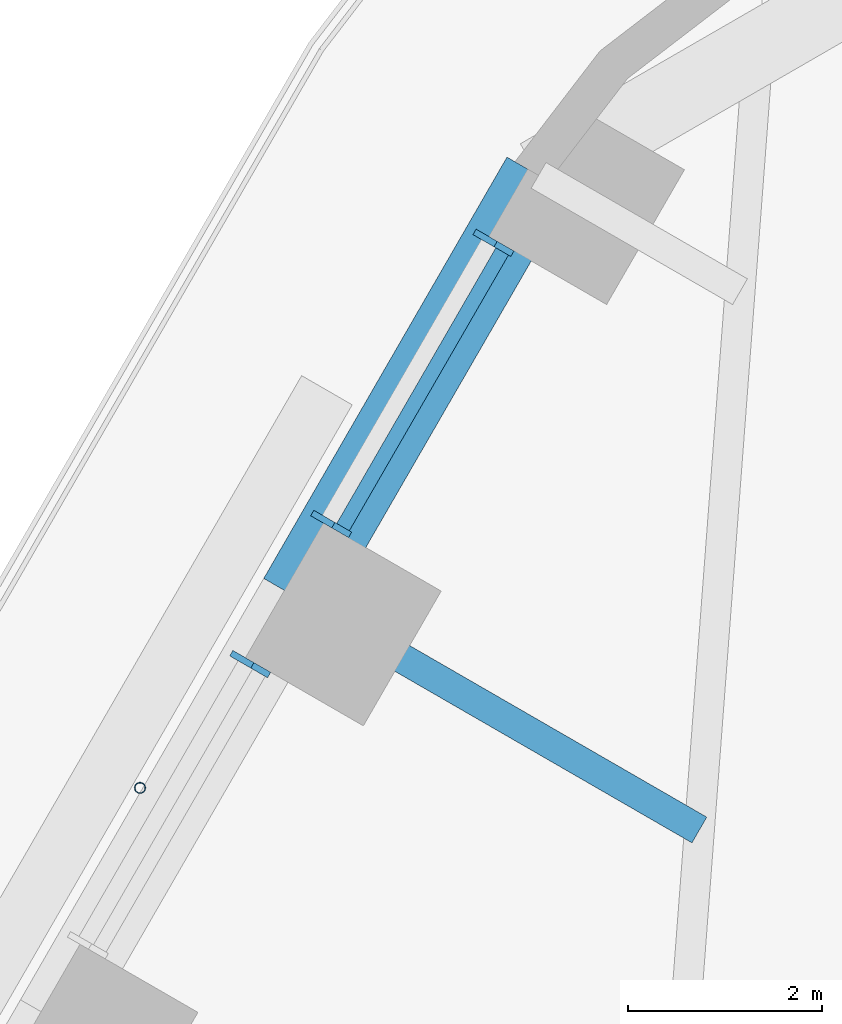
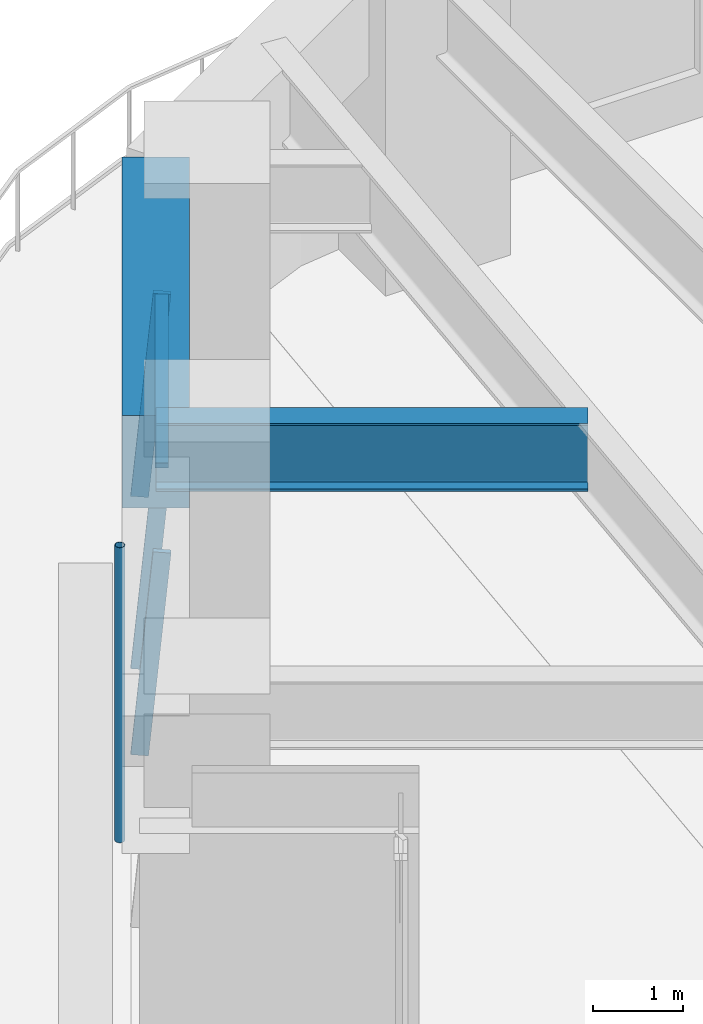
# One storey, part 9 of 24: 5 members, 2 beams, 2 elements without a shape of their own.
"""IFC4 building model written with IfcOpenShell, lengths in metres."""

import ifcopenshell
import ifcopenshell.guid

model = None  # the IFC model being written
_history = None  # IfcOwnerHistory: only IFC2X3 demands one
_inside = {}  # id of a spatial element -> (the spatial element, [elements in it])
_under = {}  # id of a project, library or spatial element -> (it, [spatial elements below it])
_declared = {}  # id of a project -> (the project, [libraries it declares])
_typed = {}  # id of a type object -> (the type object, [elements of that type])
_made_of = {}  # id of a material, layer set ... -> (it, [elements and type objects made of it])


def new_model(schema):
    """Start an empty IFC model of exactly this schema.

    Asked for "IFC4X3", IfcOpenShell would pick the latest addendum, in which some entities
    have other attributes; the version numbers below select the first issue.
    IFC2X3 requires an IfcOwnerHistory on every rooted entity: one is made here for all.
    """
    global model, _history
    if schema == "IFC4X3":
        model = ifcopenshell.file(schema_version=(4, 3, 0, 0))
    else:
        model = ifcopenshell.file(schema=schema)
    _inside.clear()
    _under.clear()
    _declared.clear()
    _typed.clear()
    _made_of.clear()
    _history = None
    if model.schema == "IFC2X3":
        org = make("IfcOrganization", Name="unknown")
        user = make(
            "IfcPersonAndOrganization",
            ThePerson=make("IfcPerson", FamilyName="unknown"),
            TheOrganization=org,
        )
        app = make(
            "IfcApplication",
            ApplicationDeveloper=org,
            Version="unknown",
            ApplicationFullName="unknown",
            ApplicationIdentifier="unknown",
        )
        _history = make(
            "IfcOwnerHistory",
            OwningUser=user,
            OwningApplication=app,
            ChangeAction="ADDED",
            CreationDate=0,
        )
    return model


def make(cls, **values):
    """One entity of the class cls with the attributes given. An attribute that is None is left unset."""
    return model.create_entity(
        cls, **{name: value for name, value in values.items() if value is not None}
    )


def rooted(cls, **values):
    """An entity with a GlobalId (a new one), such as an element, a storey or a relation."""
    return make(cls, GlobalId=ifcopenshell.guid.new(), OwnerHistory=_history, **values)


def si_unit(unit_type, name, prefix=None):
    """IfcSIUnit, for example si_unit("LENGTHUNIT", "METRE", prefix="MILLI")."""
    return make("IfcSIUnit", UnitType=unit_type, Prefix=prefix, Name=name)


def assignment(units):
    """IfcUnitAssignment: the units of a project."""
    return None if units is None else make("IfcUnitAssignment", Units=units)


def point(xyz):
    """IfcCartesianPoint."""
    return None if xyz is None else make("IfcCartesianPoint", Coordinates=xyz)


def direction(xyz):
    """IfcDirection."""
    return None if xyz is None else make("IfcDirection", DirectionRatios=xyz)


def frame(location, z_axis=None, x_axis=None):
    """IfcAxis2Placement3D, a coordinate frame: its origin and axes. An axis left out is left unset."""
    return make(
        "IfcAxis2Placement3D",
        Location=point(location),
        Axis=direction(z_axis),
        RefDirection=direction(x_axis),
    )


def frame_2d(location, x_axis=None):
    """IfcAxis2Placement2D, a coordinate frame in the plane: its origin and x axis."""
    return make(
        "IfcAxis2Placement2D", Location=point(location), RefDirection=direction(x_axis)
    )


def origin():
    """The frame at (0, 0, 0) with its axes left unset."""
    return frame((0.0, 0.0, 0.0))


def origin_2d():
    """The frame at (0, 0) in the plane with its x axis left unset."""
    return frame_2d((0.0, 0.0))


def place(relative_to, where):
    """IfcLocalPlacement: puts the frame where relative to a parent placement (None: the world)."""
    return make(
        "IfcLocalPlacement", PlacementRelTo=relative_to, RelativePlacement=where
    )


def context(
    kind, dimensions, precision=None, world=None, true_north=None, identifier=None
):
    """IfcGeometricRepresentationContext, for example the 3D "Model" context."""
    return make(
        "IfcGeometricRepresentationContext",
        ContextIdentifier=identifier,
        ContextType=kind,
        CoordinateSpaceDimension=dimensions,
        Precision=precision,
        WorldCoordinateSystem=world,
        TrueNorth=true_north,
    )


def subcontext(parent, identifier, kind, view, scale=None):
    """IfcGeometricRepresentationSubContext, for example "Body" below "Model"."""
    return make(
        "IfcGeometricRepresentationSubContext",
        ContextIdentifier=identifier,
        ContextType=kind,
        ParentContext=parent,
        TargetScale=scale,
        TargetView=view,
    )


def project(units=None, contexts=None):
    """IfcProject with its units and contexts."""
    return rooted(
        "IfcProject",
        Name="project",
        RepresentationContexts=contexts,
        UnitsInContext=assignment(units),
    )


def spatial(cls, under=None, at=None, **own):
    """A site, building, storey or space (cls), placed at a placement, below another one or the project."""
    s = rooted(cls, ObjectPlacement=at, **own)
    if under is not None:
        _under.setdefault(under.id(), (under, []))[1].append(s)
    return s


def profile(cls, at=None, kind="AREA", **sizes):
    """A parametric profile (cls). Its sizes go by their IFC names, for example OverallWidth=200.0."""
    return make(cls, ProfileType=kind, Position=at, **sizes)


def rectangle(**sizes):
    """IfcRectangleProfileDef."""
    return profile("IfcRectangleProfileDef", **sizes)


def hollow_circle(**sizes):
    """IfcCircleHollowProfileDef."""
    return profile("IfcCircleHollowProfileDef", **sizes)


def i_section(**sizes):
    """IfcIShapeProfileDef."""
    return profile("IfcIShapeProfileDef", **sizes)


def extrude(swept, where, along, depth):
    """IfcExtrudedAreaSolid: the profile swept, set in the frame where, extruded along a direction by depth."""
    return make(
        "IfcExtrudedAreaSolid",
        SweptArea=swept,
        Position=where,
        ExtrudedDirection=direction(along),
        Depth=depth,
    )


def shape(context_of_items, identifier, shape_type, items):
    """IfcShapeRepresentation: the items that make up one representation, for example the "Body"."""
    return make(
        "IfcShapeRepresentation",
        ContextOfItems=context_of_items,
        RepresentationIdentifier=identifier,
        RepresentationType=shape_type,
        Items=items,
    )


def material(Name=None, Category=None):
    """IfcMaterial."""
    return make("IfcMaterial", Name=Name, Category=Category)


def material_profile(
    of_material, cross_section, Name=None, Category=None, Priority=None
):
    """IfcMaterialProfile: a cross section and its material."""
    return make(
        "IfcMaterialProfile",
        Name=Name,
        Material=of_material,
        Profile=cross_section,
        Priority=Priority,
        Category=Category,
    )


def profile_set(profiles, Name=None, composite=None):
    """IfcMaterialProfileSet."""
    return make(
        "IfcMaterialProfileSet",
        Name=Name,
        MaterialProfiles=profiles,
        CompositeProfile=composite,
    )


def made_of(thing, what):
    """Note that an element or type object is made of a material, layer set ...; save() writes the relation."""
    if what is not None:
        _made_of.setdefault(what.id(), (what, []))[1].append(thing)
    return thing


def type_object(cls, material=None, **own):
    """A type object (cls), such as IfcWallType, which elements share."""
    return made_of(rooted(cls, **own), material)


def element(
    cls,
    number,
    at=None,
    inside=None,
    cuts=None,
    type_object=None,
    material=None,
    context=None,
    identifier="Body",
    shape_type=None,
    held_by="IfcProductDefinitionShape",
    body=None,
    shapes=None,
    **own,
):
    """One element of the class cls, such as IfcWall. Its Tag is "e" and its number.

    at: its placement. inside: the storey or other place that contains it. cuts: it is an
    opening in that element (IfcRelVoidsElement). A single representation is given by context,
    identifier, shape_type and body (its items); several are given by shapes. held_by: the class
    of the entity that holds the representations. save() writes the other relations.
    """
    e = rooted(cls, Tag="e%d" % number, ObjectPlacement=at, **own)
    if body is not None:
        shapes = [shape(context, identifier, shape_type, body)]
    if shapes is not None:
        e.Representation = make(held_by, Representations=shapes)
    if inside is not None:
        _inside.setdefault(inside.id(), (inside, []))[1].append(e)
    if cuts is not None:
        rooted(
            "IfcRelVoidsElement", RelatingBuildingElement=cuts, RelatedOpeningElement=e
        )
    if type_object is not None:
        _typed.setdefault(type_object.id(), (type_object, []))[1].append(e)
    return made_of(e, material)


def aggregate(whole, parts):
    """IfcRelAggregates: a whole, such as a stair, and the parts it consists of."""
    return rooted("IfcRelAggregates", RelatingObject=whole, RelatedObjects=parts)


def save(model, path):
    """Write the relations noted so far, then the file.

    IfcRelAggregates (storeys below a building ...), IfcRelContainedInSpatialStructure (elements
    in a storey), IfcRelDefinesByType, IfcRelAssociatesMaterial and IfcRelDeclares: one each for
    every whole, place, type object, material and project.
    """
    for whole, parts in _under.values():
        aggregate(whole, parts)
    for where, things in _inside.values():
        rooted(
            "IfcRelContainedInSpatialStructure",
            RelatedElements=things,
            RelatingStructure=where,
        )
    for kind, things in _typed.values():
        rooted("IfcRelDefinesByType", RelatedObjects=things, RelatingType=kind)
    for what, things in _made_of.values():
        rooted("IfcRelAssociatesMaterial", RelatedObjects=things, RelatingMaterial=what)
    for by, libraries in _declared.values():
        rooted("IfcRelDeclares", RelatingContext=by, RelatedDefinitions=libraries)
    model.write(path)


model = new_model("IFC4")

# Units and contexts
model_context = context("Model", 3, precision=1e-05, world=origin(), true_north=direction((0.0, 1.0)))
body_context = subcontext(model_context, "Body", "Model", "MODEL_VIEW")
ifc_project = project(units=[si_unit("LENGTHUNIT", "METRE"), si_unit("AREAUNIT", "SQUARE_METRE"), si_unit("VOLUMEUNIT", "CUBIC_METRE"), si_unit("PLANEANGLEUNIT", "RADIAN"), si_unit("MASSUNIT", "GRAM", prefix="KILO")], contexts=[model_context])

# Site, building, storey
site_placement = place(None, origin())
site = spatial("IfcSite", under=ifc_project, at=site_placement, CompositionType="ELEMENT")
building_placement = place(site_placement, origin())
building = spatial("IfcBuilding", under=site, at=building_placement, Name="Tarfa Lantern Tower", CompositionType="ELEMENT")
storey_placement = place(building_placement, frame((0.0, 0.0, 165.699951171875)))
storey = spatial("IfcBuildingStorey", under=building, at=storey_placement, Name="L37", CompositionType="ELEMENT", Elevation=165.699951171875)

# Curtain wall, members
ifc_material_1 = material(Name="Aluminium framed curtain wall", Category="aluminium")
curtain_wall_type = type_object("IfcCurtainWallType", Name="CW2 CANTED GLAZING MID ZONE 2750", PredefinedType="USERDEFINED", material=ifc_material_1)
curtain_wall_1_placement = place(storey_placement, origin())
curtain_wall_1 = element("IfcCurtainWall", 1, at=curtain_wall_1_placement, inside=storey, type_object=curtain_wall_type, Name="CW2 NW L37", ObjectType="CURTAIN WALL", PredefinedType="USERDEFINED")
ifc_material_2 = material(Name="Aluminium mullion", Category="aluminium")
ifc_material_profile_1 = material_profile(ifc_material_2, rectangle(XDim=0.06494140625, YDim=0.199951171875, at=origin_2d()), Name="AL MULLION 65x200")
ifc_profile_set_1 = profile_set([ifc_material_profile_1], Name="Aluminium mullion")
member_type_1 = type_object("IfcMemberType", Name="CWM1 MULLION 65x200", PredefinedType="MULLION", material=ifc_profile_set_1)
member_1_placement = place(storey_placement, frame((-20.10400390625, 27.97900390625, 0.0), z_axis=(0.078422950161, -0.045267813396, 0.995891894715), x_axis=(0.499919672301, 0.866071776036, 0.0)))
member_1 = element("IfcMember", 2, at=member_1_placement, type_object=member_type_1, Name="CW2 mullion 1", PredefinedType="MULLION", context=body_context, shape_type="SweptSolid", body=[
    extrude(rectangle(XDim=0.06494140625, YDim=0.199951171875, at=origin_2d()), origin(), (0.0, 0.0, 1.0), 2.76123046875),
])
member_2_placement = place(storey_placement, frame((-21.773193359375, 25.087646484375, 0.0), z_axis=(0.078422950161, -0.045267813396, 0.995891894715), x_axis=(0.499919672301, 0.866071776036, 0.0)))
member_2 = element("IfcMember", 3, at=member_2_placement, type_object=member_type_1, Name="CW2 mullion 2", PredefinedType="MULLION", context=body_context, shape_type="SweptSolid", body=[
    extrude(rectangle(XDim=0.06494140625, YDim=0.199951171875, at=origin_2d()), origin(), (0.0, 0.0, 1.0), 2.76123046875),
])

# Curtain wall, member
curtain_wall_2_placement = place(storey_placement, origin())
curtain_wall_2 = element("IfcCurtainWall", 4, at=curtain_wall_2_placement, inside=storey, type_object=curtain_wall_type, Name="CW2 NW L37", ObjectType="CURTAIN WALL", PredefinedType="USERDEFINED")
member_3_placement = place(storey_placement, frame((-22.605712890625, 23.645751953125, 0.0), z_axis=(0.078422950161, -0.045267813396, 0.995891894715), x_axis=(0.499919672301, 0.866071776036, 0.0)))
member_3 = element("IfcMember", 5, at=member_3_placement, type_object=member_type_1, Name="CW2 mullion 1", PredefinedType="MULLION", context=body_context, shape_type="SweptSolid", body=[
    extrude(rectangle(XDim=0.06494140625, YDim=0.199951171875, at=origin_2d()), origin(), (0.0, 0.0, 1.0), 2.76123046875),
])
aggregate(curtain_wall_2, [member_3])

# Member
ifc_material_3 = material(Name="Aluminium transom", Category="aluminium")
ifc_material_profile_2 = material_profile(ifc_material_3, rectangle(XDim=0.14990234375, YDim=0.06494140625, at=origin_2d()), Name="AL TRANSOM 150x65")
ifc_profile_set_2 = profile_set([ifc_material_profile_2], Name="Aluminium transom")
member_type_2 = type_object("IfcMemberType", Name="CWT1 TRANSOM 150x65", PredefinedType="USERDEFINED", material=ifc_profile_set_2)
member_4_placement = place(storey_placement, frame((-19.90625, 27.827392578125, 2.717529296875), z_axis=(-0.499957005835, -0.866050225054, 0.0), x_axis=(0.866050225054, -0.499957005835, 0.0)))
member_4 = element("IfcMember", 6, at=member_4_placement, type_object=member_type_2, Name="CW2 transom 1.2", ObjectType="TRANSOM", PredefinedType="USERDEFINED", context=body_context, shape_type="SweptSolid", body=[
    extrude(rectangle(XDim=0.14990234375, YDim=0.06494140625, at=origin_2d()), origin(), (0.0, 0.0, 1.0), 3.273681640625),
])

aggregate(curtain_wall_1, [member_1, member_2, member_4])

# Beam
ifc_material_4 = material(Name="Concrete C80/95", Category="concrete")
ifc_material_profile_3 = material_profile(ifc_material_4, rectangle(XDim=0.75, YDim=1.25, at=origin_2d()), Name="RC 750x1250")
ifc_profile_set_3 = profile_set([ifc_material_profile_3], Name="Concrete C80/95")
beam_type_1 = type_object("IfcBeamType", Name="EB2 RC 750x1250", PredefinedType="SPANDREL", material=ifc_profile_set_3)
beam_1_placement = place(storey_placement, frame((-19.53173828125, 28.610107421875, 3.375), z_axis=(-0.500001197378, -0.866024712477, 0.0), x_axis=(0.866024712477, -0.500001197378, 0.0)))
element("IfcBeam", 7, at=beam_1_placement, inside=storey, type_object=beam_type_1, Name="Edge beam NW0", PredefinedType="SPANDREL", context=body_context, shape_type="SweptSolid", body=[
    extrude(rectangle(XDim=0.75, YDim=1.25, at=origin_2d()), origin(), (0.0, 0.0, 1.0), 5.00390625),
])

# Member
ifc_material_5 = material(Name="Steel S355", Category="steel")
ifc_material_profile_4 = material_profile(ifc_material_5, hollow_circle(Radius=0.05712890625, WallThickness=0.00634765625, at=origin_2d()), Name="CHS114.3x6.3")
ifc_profile_set_4 = profile_set([ifc_material_profile_4], Name="Steel S355")
member_type_3 = type_object("IfcMemberType", Name="TR1 GREEN WALL TRELLIS CHS114.3x6.3", PredefinedType="USERDEFINED", material=ifc_profile_set_4)
member_5_placement = place(storey_placement, frame((-23.630859375, 22.31005859375, 0.0), z_axis=(0.0, 0.0, 1.0), x_axis=(1.0, 0.0, 0.0)))
element("IfcMember", 8, at=member_5_placement, inside=storey, type_object=member_type_3, Name="Trellis post NW 1", ObjectType="TRELLIS", PredefinedType="USERDEFINED", context=body_context, shape_type="SweptSolid", body=[
    extrude(hollow_circle(Radius=0.05712890625, WallThickness=0.00634765625, at=origin_2d()), origin(), (0.0, 0.0, 1.0), 4.0),
])

# Beam
ifc_material_6 = material(Name="Steel S460M", Category="steel")
ifc_material_profile_5 = material_profile(ifc_material_6, i_section(OverallWidth=0.305419921875, OverallDepth=0.91845703125, WebThickness=0.017333984375, FlangeThickness=0.02783203125, FilletRadius=0.01904296875, at=origin_2d()), Name="UB914x305x253")
ifc_profile_set_5 = profile_set([ifc_material_profile_5], Name="Steel S460M")
beam_type_2 = type_object("IfcBeamType", Name="UB914x305x253", PredefinedType="BEAM", material=ifc_profile_set_5)
beam_2_placement = place(storey_placement, frame((-22.03369140625, 24.276611328125, 3.540771484375), z_axis=(0.866030550462, -0.499991085587, 0.0), x_axis=(0.499991085587, 0.866030550462, 0.0)))
element("IfcBeam", 9, at=beam_2_placement, inside=storey, type_object=beam_type_2, Name="Floor beam NW1", PredefinedType="BEAM", context=body_context, shape_type="SweptSolid", body=[
    extrude(i_section(OverallWidth=0.305419921875, OverallDepth=0.91845703125, WebThickness=0.017333984375, FlangeThickness=0.02783203125, FilletRadius=0.01904296875, at=origin_2d()), origin(), (0.0, 0.0, 1.0), 4.798828125),
])

save(model, "model.ifc")
